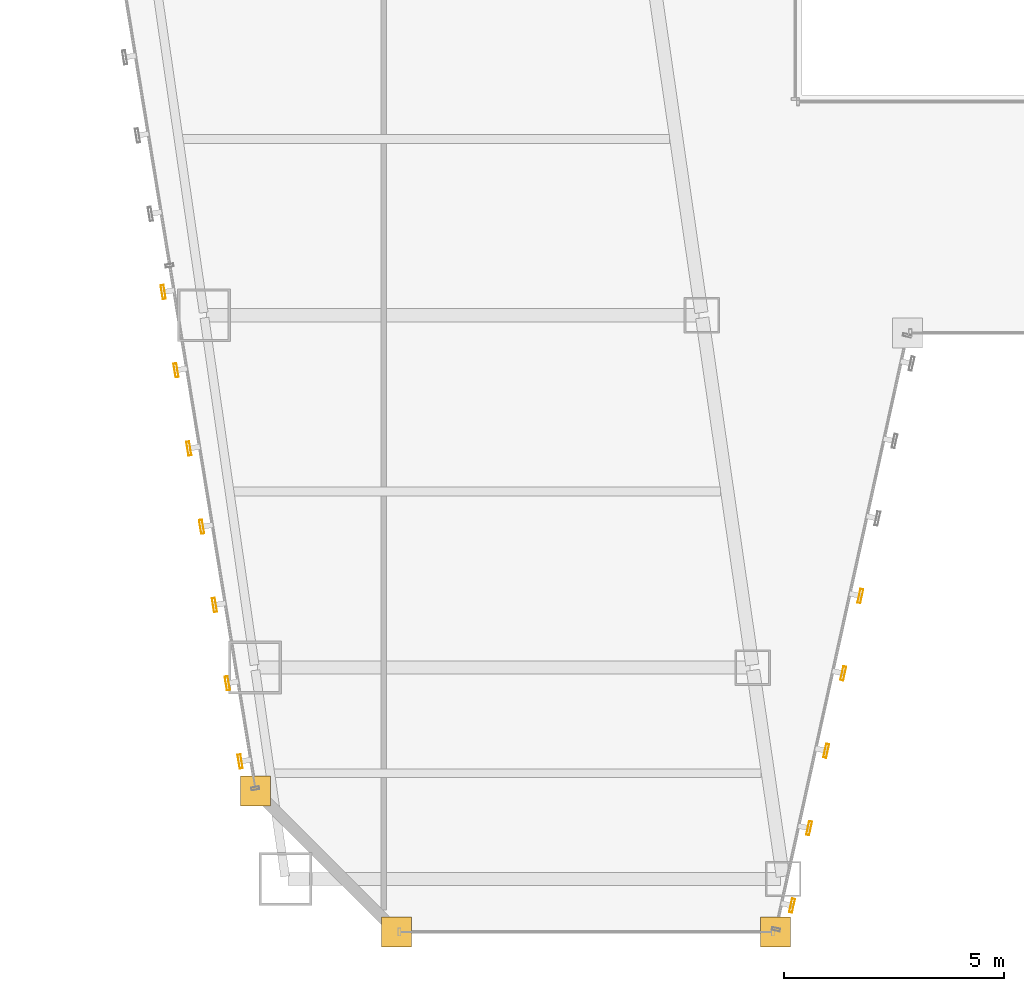
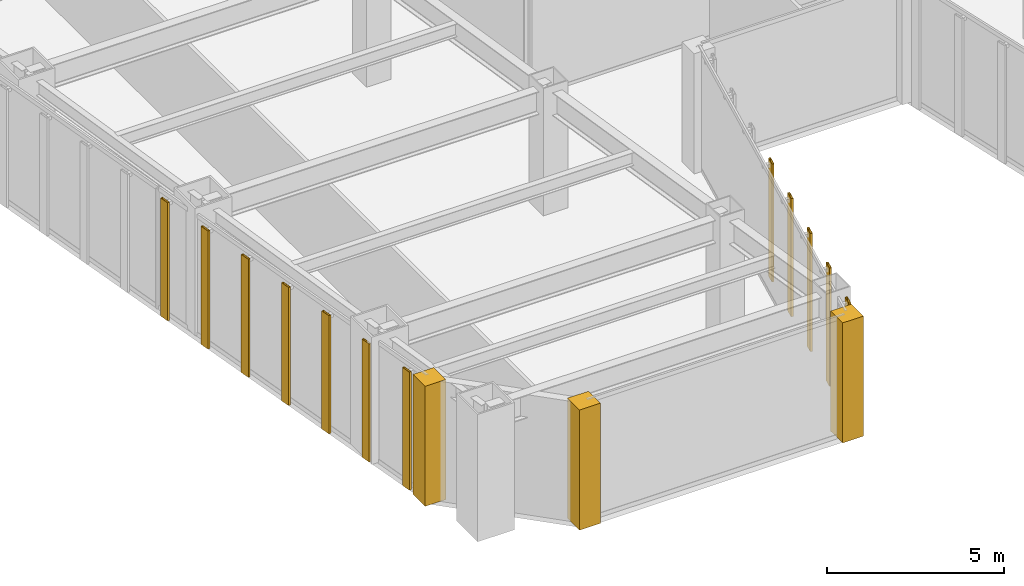
# One storey, part 41 of 47: 12 shading devices, 3 coverings.
"""IFC4 building model written with IfcOpenShell, lengths in metres."""

from ifc_helpers import new_model, si_unit, direction, frame, origin, origin_2d, place, context, subcontext, project, spatial, polyline, hollow_rectangle, outline, extrude, material, layer, layer_set, material_profile, profile_set, type_object, element, save


model = new_model("IFC4")

# Units and contexts
model_context = context("Model", 3, precision=1e-05, world=origin(), true_north=direction((0.0, 1.0)))
body_context = subcontext(model_context, "Body", "Model", "MODEL_VIEW")
ifc_project = project(units=[si_unit("LENGTHUNIT", "METRE"), si_unit("AREAUNIT", "SQUARE_METRE"), si_unit("VOLUMEUNIT", "CUBIC_METRE"), si_unit("PLANEANGLEUNIT", "RADIAN"), si_unit("MASSUNIT", "GRAM", prefix="KILO")], contexts=[model_context])

# Site, building, storey
site_placement = place(None, origin())
site = spatial("IfcSite", under=ifc_project, at=site_placement, CompositionType="ELEMENT")
building_placement = place(site_placement, origin())
building = spatial("IfcBuilding", under=site, at=building_placement, Name="Saevonmaru Cultural Tower", CompositionType="ELEMENT")
storey_placement = place(building_placement, frame((0.0, 0.0, 56.0)))
storey = spatial("IfcBuildingStorey", under=building, at=storey_placement, Name="L11", CompositionType="ELEMENT", Elevation=56.0)

# Coverings
ifc_material = material(Name="Satin Bronze Anodised Aluminium", Category="aluminium")
ifc_layer = layer(ifc_material, 0.679931640625, Name="Satin Bronze Anodised Aluminium")
ifc_layer_set = layer_set([ifc_layer], Name="Satin Bronze Anodised Aluminium")
covering_type = type_object("IfcCoveringType", Name="CV-CORNER-CLAD", PredefinedType="CLADDING", material=ifc_layer_set)
covering_1_placement = place(storey_placement, origin())
element("IfcCovering", 1, at=covering_1_placement, inside=storey, type_object=covering_type, Name="L11 Tower Bronze Corner Cladding Pier 1", PredefinedType="CLADDING", context=body_context, shape_type="SweptSolid", body=[
    extrude(outline(polyline([(11.4599609375, 4.860107421875), (12.139892578125, 4.860107421875), (12.139892578125, 5.5400390625), (11.4599609375, 5.5400390625), (11.4599609375, 4.860107421875)])), origin(), (0.0, 0.0, 1.0), 4.14990234375),
])
covering_2_placement = place(storey_placement, origin())
element("IfcCovering", 2, at=covering_2_placement, inside=storey, type_object=covering_type, Name="L11 Tower Bronze Corner Cladding Pier 2", PredefinedType="CLADDING", context=body_context, shape_type="SweptSolid", body=[
    extrude(outline(polyline([(14.659912109375, 1.659912109375), (15.340087890625, 1.659912109375), (15.340087890625, 2.340087890625), (14.659912109375, 2.340087890625), (14.659912109375, 1.659912109375)])), origin(), (0.0, 0.0, 1.0), 4.14990234375),
])
covering_3_placement = place(storey_placement, origin())
element("IfcCovering", 3, at=covering_3_placement, inside=storey, type_object=covering_type, Name="L11 Tower Bronze Corner Cladding Pier 3", PredefinedType="CLADDING", context=body_context, shape_type="SweptSolid", body=[
    extrude(outline(polyline([(23.260009765625, 1.659912109375), (23.93994140625, 1.659912109375), (23.93994140625, 2.340087890625), (23.260009765625, 2.340087890625), (23.260009765625, 1.659912109375)])), origin(), (0.0, 0.0, 1.0), 4.14990234375),
])

# Shading devices
ifc_material_profile = material_profile(ifc_material, hollow_rectangle(XDim=0.070068359375, YDim=0.320068359375, WallThickness=0.0048828125, at=origin_2d()), Name="FIN-320x70")
ifc_profile_set = profile_set([ifc_material_profile], Name="Satin Bronze Anodised Aluminium")
shading_device_type = type_object("IfcShadingDeviceType", Name="SHD-FIN-320", PredefinedType="JALOUSIE", material=ifc_profile_set)
for number, where, z_axis, x_axis, name in (
    (4, (23.977294921875, 2.59619140625, 0.050048828125), (0.0, 0.0, 1.0), (0.976522126798, -0.215417120661, 0.0), "L11 Art Deco Sawtooth Bronze Fin E3-01"),
    (5, (24.364990234375, 4.35400390625, 0.050048828125), (0.0, 0.0, 1.0), (0.976522126798, -0.215417120661, 0.0), "L11 Art Deco Sawtooth Bronze Fin E3-02"),
    (6, (24.752685546875, 6.11181640625, 0.050048828125), (0.0, 0.0, 1.0), (0.976522126798, -0.215417120661, 0.0), "L11 Art Deco Sawtooth Bronze Fin E3-03"),
    (7, (25.140380859375, 7.869384765625, 0.050048828125), (0.0, 0.0, 1.0), (0.976522126798, -0.215417120661, 0.0), "L11 Art Deco Sawtooth Bronze Fin E3-04"),
    (8, (25.5283203125, 9.627197265625, 0.050048828125), (0.0, 0.0, 1.0), (0.976522126798, -0.215417120661, 0.0), "L11 Art Deco Sawtooth Bronze Fin E3-05"),
    (9, (9.70068359375, 16.527099609375, 0.050048828125), (0.0, 0.0, 1.0), (-0.986827496189, -0.161776057456, 0.0), "L11 Art Deco Sawtooth Bronze Fin E12-21"),
    (10, (9.99169921875, 14.750732421875, 0.050048828125), (0.0, 0.0, 1.0), (-0.986827496189, -0.161776057456, 0.0), "L11 Art Deco Sawtooth Bronze Fin E12-22"),
    (11, (10.28271484375, 12.974365234375, 0.050048828125), (0.0, 0.0, 1.0), (-0.986827496189, -0.161776057456, 0.0), "L11 Art Deco Sawtooth Bronze Fin E12-23"),
    (12, (10.573974609375, 11.197998046875, 0.050048828125), (0.0, 0.0, 1.0), (-0.986827496189, -0.161776057456, 0.0), "L11 Art Deco Sawtooth Bronze Fin E12-24"),
    (13, (10.864990234375, 9.421875, 0.050048828125), (0.0, 0.0, 1.0), (-0.986827496189, -0.161776057456, 0.0), "L11 Art Deco Sawtooth Bronze Fin E12-25"),
    (14, (11.156005859375, 7.6455078125, 0.050048828125), (0.0, 0.0, 1.0), (-0.986827496189, -0.161776057456, 0.0), "L11 Art Deco Sawtooth Bronze Fin E12-26"),
    (15, (11.447021484375, 5.869140625, 0.050048828125), (0.0, 0.0, 1.0), (-0.986827496189, -0.161776057456, 0.0), "L11 Art Deco Sawtooth Bronze Fin E12-27"),
):
    element("IfcShadingDevice", number, at=place(storey_placement, frame(where, z_axis=z_axis, x_axis=x_axis)), inside=storey, type_object=shading_device_type, Name=name, PredefinedType="JALOUSIE", context=body_context, shape_type="SweptSolid", body=[
        extrude(hollow_rectangle(XDim=0.070068359375, YDim=0.320068359375, WallThickness=0.0048828125, at=origin_2d()), origin(), (0.0, 0.0, 1.0), 4.079833984375),
    ])

save(model, "model.ifc")
